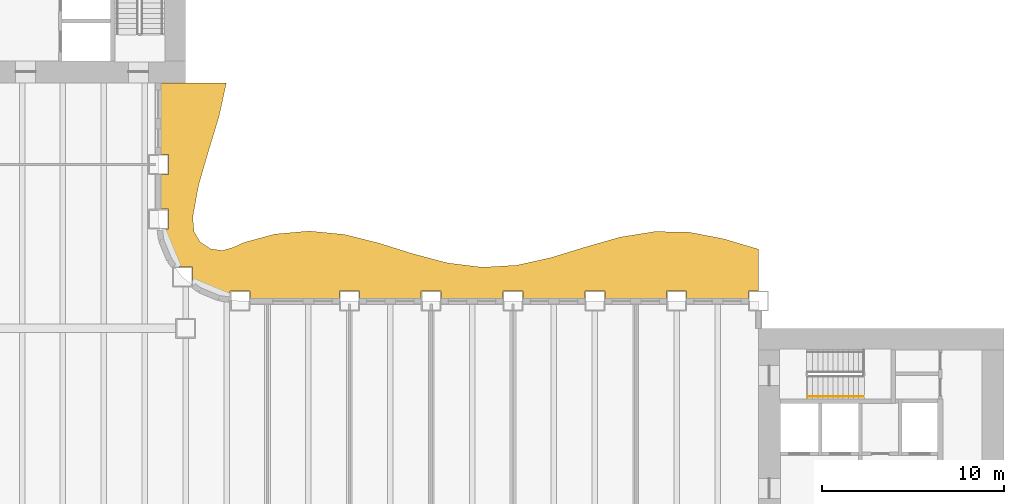
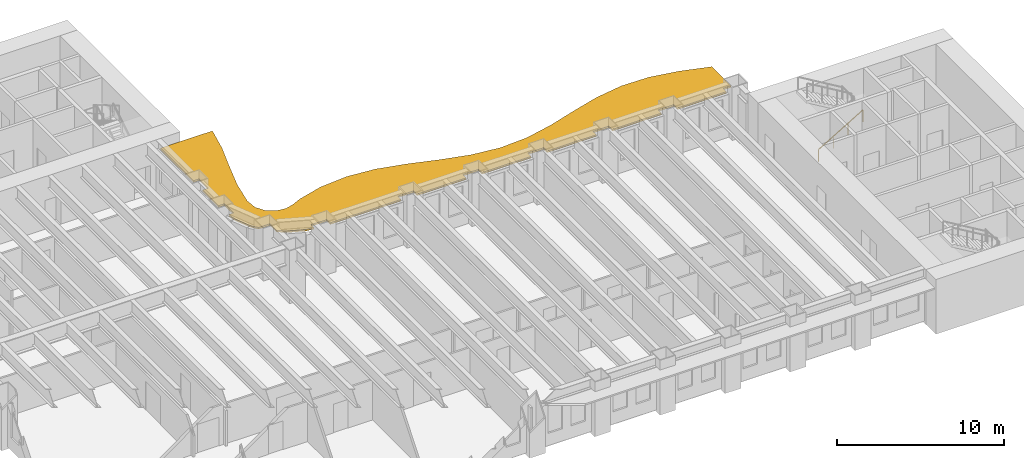
# One storey, part 14 of 16: 1 railing, 1 shading device.
"""IFC4 building model written with IfcOpenShell, lengths in metres."""

from ifc_helpers import new_model, si_unit, direction, frame, origin, origin_2d, place, context, subcontext, project, spatial, polyline, rectangle, outline, extrude, material, layer, layer_set, type_object, element, save


model = new_model("IFC4")

# Units and contexts
model_context = context("Model", 3, precision=1e-05, world=origin(), true_north=direction((0.0, 1.0)))
body_context = subcontext(model_context, "Body", "Model", "MODEL_VIEW")
ifc_project = project(units=[si_unit("LENGTHUNIT", "METRE"), si_unit("AREAUNIT", "SQUARE_METRE"), si_unit("VOLUMEUNIT", "CUBIC_METRE"), si_unit("PLANEANGLEUNIT", "RADIAN"), si_unit("MASSUNIT", "GRAM", prefix="KILO")], contexts=[model_context])

# Site, building, storey
site_placement = place(None, origin())
site = spatial("IfcSite", under=ifc_project, at=site_placement, CompositionType="ELEMENT")
building_placement = place(site_placement, origin())
building = spatial("IfcBuilding", under=site, at=building_placement, Name="Sennacour Bend Tower", CompositionType="ELEMENT")
storey_placement = place(building_placement, frame((0.0, 0.0, 69.0)))
storey = spatial("IfcBuildingStorey", under=building, at=storey_placement, Name="L15", CompositionType="ELEMENT", Elevation=69.0)

# Railing
ifc_material_1 = material(Name="Stainless steel", Category="steel")
railing_type = type_object("IfcRailingType", Name="RL-HANDRAIL-900", PredefinedType="HANDRAIL", material=ifc_material_1)
railing_placement = place(storey_placement, frame((56.699951171875, 18.75, 0.166748046875)))
element("IfcRailing", 1, at=railing_placement, inside=storey, type_object=railing_type, Name="L15 SA2 stair handrail 1", PredefinedType="HANDRAIL", context=body_context, shape_type="SweptSolid", body=[
    extrude(rectangle(XDim=0.048095703125, YDim=0.048095703125, at=origin_2d()), frame((0.0, 0.0, 0.8759765625), z_axis=(0.859308565015, 0.0, 0.511457515432), x_axis=(0.0, 1.0, 0.0)), (0.0, 0.0, 1.0), 3.58447265625),
    extrude(rectangle(XDim=0.0419921875, YDim=0.0419921875, at=origin_2d()), origin(), (0.0, 0.0, 1.0), 0.851806640625),
    extrude(rectangle(XDim=0.0419921875, YDim=0.0419921875, at=origin_2d()), frame((1.026611328125, 0.0, 0.611083984375)), (0.0, 0.0, 1.0), 0.851806640625),
    extrude(rectangle(XDim=0.0419921875, YDim=0.0419921875, at=origin_2d()), frame((2.053466796875, 0.0, 1.22216796875)), (0.0, 0.0, 1.0), 0.851806640625),
    extrude(rectangle(XDim=0.0419921875, YDim=0.0419921875, at=origin_2d()), frame((3.080078125, 0.0, 1.833251953125)), (0.0, 0.0, 1.0), 0.851806640625),
])

# Shading device
ifc_material_2 = material(Name="Bronze anodised aluminium", Category="aluminium")
ifc_layer = layer(ifc_material_2, 0.1201171875, Name="Bronze anodised aluminium", Category="aluminium")
ifc_layer_set = layer_set([ifc_layer], Name="Bronze anodised aluminium")
shading_device_type = type_object("IfcShadingDeviceType", Name="SUNSHADE BAND WAVE", PredefinedType="USERDEFINED", material=ifc_layer_set)
shading_device_placement = place(storey_placement, frame((0.0, 0.0, 3.02392578125)))
element("IfcShadingDevice", 2, at=shading_device_placement, inside=storey, type_object=shading_device_type, Name="Sunshade band L15 concave faces", ObjectType="SUNSHADE", PredefinedType="USERDEFINED", context=body_context, shape_type="SweptSolid", body=[
    extrude(outline(polyline([(53.449951171875, 24.14990234375), (50.050048828125, 24.14990234375), (50.050048828125, 24.550048828125), (48.949951171875, 24.550048828125), (48.949951171875, 24.14990234375), (45.550048828125, 24.14990234375), (45.550048828125, 24.550048828125), (44.449951171875, 24.550048828125), (44.449951171875, 24.14990234375), (41.050048828125, 24.14990234375), (41.050048828125, 24.550048828125), (39.949951171875, 24.550048828125), (39.949951171875, 24.14990234375), (36.550048828125, 24.14990234375), (36.550048828125, 24.550048828125), (35.449951171875, 24.550048828125), (35.449951171875, 24.14990234375), (32.050048828125, 24.14990234375), (32.050048828125, 24.550048828125), (30.949951171875, 24.550048828125), (30.949951171875, 24.14990234375), (26.050048828125, 24.14990234375), (26.050048828125, 24.550048828125), (24.949951171875, 24.550048828125), (24.949951171875, 24.2236328125), (24.37451171875, 24.299560546875), (23.32568359375, 24.73388671875), (22.8681640625, 25.0849609375), (22.8681640625, 25.8681640625), (22.0849609375, 25.8681640625), (21.73388671875, 26.32568359375), (21.299560546875, 27.37451171875), (21.2236328125, 27.949951171875), (21.550048828125, 27.949951171875), (21.550048828125, 29.050048828125), (21.14990234375, 29.050048828125), (21.14990234375, 30.949951171875), (21.550048828125, 30.949951171875), (21.550048828125, 32.050048828125), (21.14990234375, 32.050048828125), (21.14990234375, 36.0), (24.738525390625, 36.0), (24.328857421875, 34.125), (23.75439453125, 32.25), (23.212890625, 30.375), (22.890380859375, 28.623779296875), (22.95947265625, 27.8193359375), (23.309814453125, 27.235595703125), (23.87109375, 26.87109375), (24.50732421875, 26.78076171875), (25.081298828125, 26.937744140625), (25.711181640625, 27.2216796875), (27.39990234375, 27.6826171875), (29.300048828125, 27.849853515625), (31.199951171875, 27.66455078125), (33.10009765625, 27.19189453125), (35.0, 26.598876953125), (36.89990234375, 26.09423828125), (38.800048828125, 25.856201171875), (40.699951171875, 25.968505859375), (42.60009765625, 26.391845703125), (44.5, 26.9765625), (46.39990234375, 27.516845703125), (48.300048828125, 27.82177734375), (50.199951171875, 27.7841796875), (52.10009765625, 27.4169921875), (54.0, 26.85009765625), (54.0, 24.550048828125), (53.449951171875, 24.550048828125), (53.449951171875, 24.14990234375)])), origin(), (0.0, 0.0, 1.0), 0.1201171875),
])

save(model, "model.ifc")
